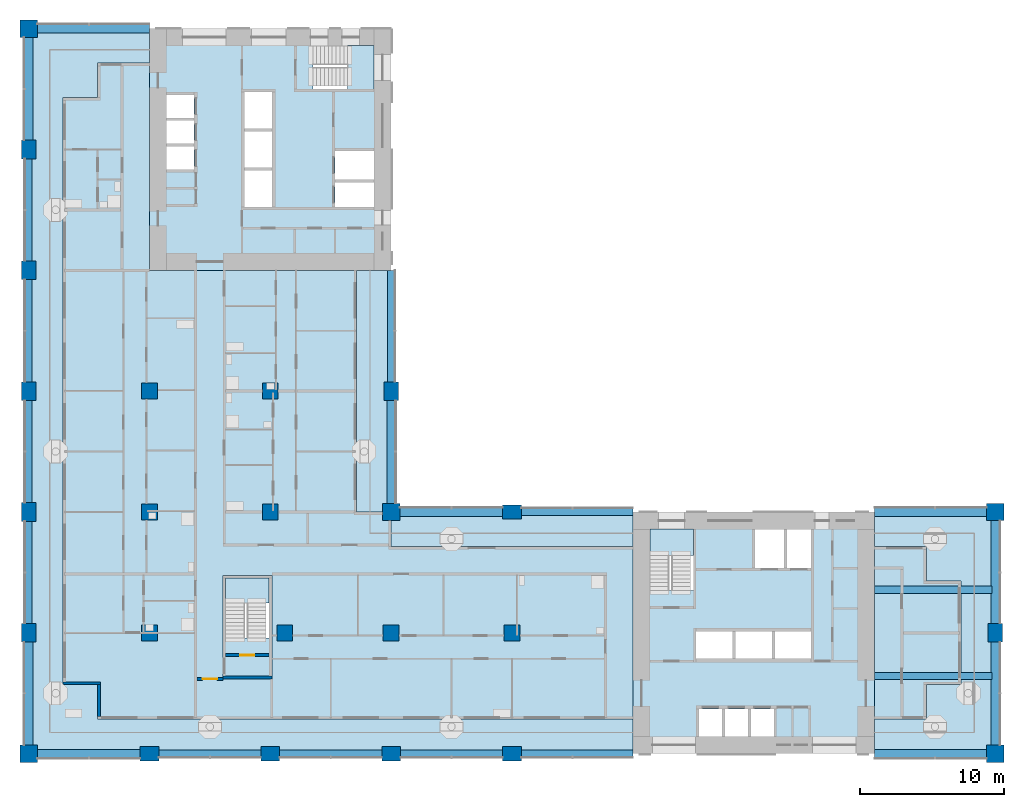
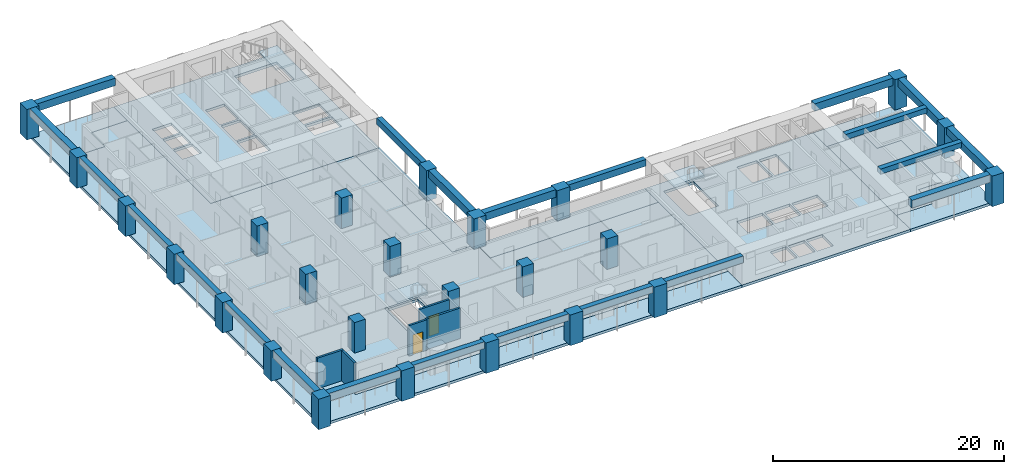
# One storey, part 1 of 18: 25 columns, 22 beams, 12 slabs, 5 walls, 2 doors, 2 openings, 3 elements without a shape of their own.
"""IFC4 building model written with IfcOpenShell, lengths in metres."""

import ifcopenshell
import ifcopenshell.guid

model = None  # the IFC model being written
_history = None  # IfcOwnerHistory: only IFC2X3 demands one
_inside = {}  # id of a spatial element -> (the spatial element, [elements in it])
_under = {}  # id of a project, library or spatial element -> (it, [spatial elements below it])
_declared = {}  # id of a project -> (the project, [libraries it declares])
_typed = {}  # id of a type object -> (the type object, [elements of that type])
_made_of = {}  # id of a material, layer set ... -> (it, [elements and type objects made of it])


def new_model(schema):
    """Start an empty IFC model of exactly this schema.

    Asked for "IFC4X3", IfcOpenShell would pick the latest addendum, in which some entities
    have other attributes; the version numbers below select the first issue.
    IFC2X3 requires an IfcOwnerHistory on every rooted entity: one is made here for all.
    """
    global model, _history
    if schema == "IFC4X3":
        model = ifcopenshell.file(schema_version=(4, 3, 0, 0))
    else:
        model = ifcopenshell.file(schema=schema)
    _inside.clear()
    _under.clear()
    _declared.clear()
    _typed.clear()
    _made_of.clear()
    _history = None
    if model.schema == "IFC2X3":
        org = make("IfcOrganization", Name="unknown")
        user = make(
            "IfcPersonAndOrganization",
            ThePerson=make("IfcPerson", FamilyName="unknown"),
            TheOrganization=org,
        )
        app = make(
            "IfcApplication",
            ApplicationDeveloper=org,
            Version="unknown",
            ApplicationFullName="unknown",
            ApplicationIdentifier="unknown",
        )
        _history = make(
            "IfcOwnerHistory",
            OwningUser=user,
            OwningApplication=app,
            ChangeAction="ADDED",
            CreationDate=0,
        )
    return model


def make(cls, **values):
    """One entity of the class cls with the attributes given. An attribute that is None is left unset."""
    return model.create_entity(
        cls, **{name: value for name, value in values.items() if value is not None}
    )


def rooted(cls, **values):
    """An entity with a GlobalId (a new one), such as an element, a storey or a relation."""
    return make(cls, GlobalId=ifcopenshell.guid.new(), OwnerHistory=_history, **values)


def si_unit(unit_type, name, prefix=None):
    """IfcSIUnit, for example si_unit("LENGTHUNIT", "METRE", prefix="MILLI")."""
    return make("IfcSIUnit", UnitType=unit_type, Prefix=prefix, Name=name)


def assignment(units):
    """IfcUnitAssignment: the units of a project."""
    return None if units is None else make("IfcUnitAssignment", Units=units)


def point(xyz):
    """IfcCartesianPoint."""
    return None if xyz is None else make("IfcCartesianPoint", Coordinates=xyz)


def direction(xyz):
    """IfcDirection."""
    return None if xyz is None else make("IfcDirection", DirectionRatios=xyz)


def frame(location, z_axis=None, x_axis=None):
    """IfcAxis2Placement3D, a coordinate frame: its origin and axes. An axis left out is left unset."""
    return make(
        "IfcAxis2Placement3D",
        Location=point(location),
        Axis=direction(z_axis),
        RefDirection=direction(x_axis),
    )


def frame_2d(location, x_axis=None):
    """IfcAxis2Placement2D, a coordinate frame in the plane: its origin and x axis."""
    return make(
        "IfcAxis2Placement2D", Location=point(location), RefDirection=direction(x_axis)
    )


def origin():
    """The frame at (0, 0, 0) with its axes left unset."""
    return frame((0.0, 0.0, 0.0))


def origin_2d():
    """The frame at (0, 0) in the plane with its x axis left unset."""
    return frame_2d((0.0, 0.0))


def place(relative_to, where):
    """IfcLocalPlacement: puts the frame where relative to a parent placement (None: the world)."""
    return make(
        "IfcLocalPlacement", PlacementRelTo=relative_to, RelativePlacement=where
    )


def context(
    kind, dimensions, precision=None, world=None, true_north=None, identifier=None
):
    """IfcGeometricRepresentationContext, for example the 3D "Model" context."""
    return make(
        "IfcGeometricRepresentationContext",
        ContextIdentifier=identifier,
        ContextType=kind,
        CoordinateSpaceDimension=dimensions,
        Precision=precision,
        WorldCoordinateSystem=world,
        TrueNorth=true_north,
    )


def subcontext(parent, identifier, kind, view, scale=None):
    """IfcGeometricRepresentationSubContext, for example "Body" below "Model"."""
    return make(
        "IfcGeometricRepresentationSubContext",
        ContextIdentifier=identifier,
        ContextType=kind,
        ParentContext=parent,
        TargetScale=scale,
        TargetView=view,
    )


def project(units=None, contexts=None):
    """IfcProject with its units and contexts."""
    return rooted(
        "IfcProject",
        Name="project",
        RepresentationContexts=contexts,
        UnitsInContext=assignment(units),
    )


def spatial(cls, under=None, at=None, **own):
    """A site, building, storey or space (cls), placed at a placement, below another one or the project."""
    s = rooted(cls, ObjectPlacement=at, **own)
    if under is not None:
        _under.setdefault(under.id(), (under, []))[1].append(s)
    return s


def polyline(points):
    """IfcPolyline through the points."""
    return make("IfcPolyline", Points=[point(p) for p in points])


def profile(cls, at=None, kind="AREA", **sizes):
    """A parametric profile (cls). Its sizes go by their IFC names, for example OverallWidth=200.0."""
    return make(cls, ProfileType=kind, Position=at, **sizes)


def rectangle(**sizes):
    """IfcRectangleProfileDef."""
    return profile("IfcRectangleProfileDef", **sizes)


def outline(outer, holes=None, kind="AREA"):
    """IfcArbitraryClosedProfileDef: a profile drawn as a closed curve; with holes, ...WithVoids."""
    if holes is None:
        return make("IfcArbitraryClosedProfileDef", ProfileType=kind, OuterCurve=outer)
    return make(
        "IfcArbitraryProfileDefWithVoids",
        ProfileType=kind,
        OuterCurve=outer,
        InnerCurves=holes,
    )


def extrude(swept, where, along, depth):
    """IfcExtrudedAreaSolid: the profile swept, set in the frame where, extruded along a direction by depth."""
    return make(
        "IfcExtrudedAreaSolid",
        SweptArea=swept,
        Position=where,
        ExtrudedDirection=direction(along),
        Depth=depth,
    )


def shape(context_of_items, identifier, shape_type, items):
    """IfcShapeRepresentation: the items that make up one representation, for example the "Body"."""
    return make(
        "IfcShapeRepresentation",
        ContextOfItems=context_of_items,
        RepresentationIdentifier=identifier,
        RepresentationType=shape_type,
        Items=items,
    )


def material(Name=None, Category=None):
    """IfcMaterial."""
    return make("IfcMaterial", Name=Name, Category=Category)


def layer(
    of_material, thickness, ventilated=None, Name=None, Category=None, Priority=None
):
    """IfcMaterialLayer: one layer of a wall or slab, of a material (None: an air gap)."""
    return make(
        "IfcMaterialLayer",
        Material=of_material,
        LayerThickness=thickness,
        IsVentilated=ventilated,
        Name=Name,
        Category=Category,
        Priority=Priority,
    )


def layer_set(layers, Name=None):
    """IfcMaterialLayerSet."""
    return make("IfcMaterialLayerSet", MaterialLayers=layers, LayerSetName=Name)


def material_profile(
    of_material, cross_section, Name=None, Category=None, Priority=None
):
    """IfcMaterialProfile: a cross section and its material."""
    return make(
        "IfcMaterialProfile",
        Name=Name,
        Material=of_material,
        Profile=cross_section,
        Priority=Priority,
        Category=Category,
    )


def profile_set(profiles, Name=None, composite=None):
    """IfcMaterialProfileSet."""
    return make(
        "IfcMaterialProfileSet",
        Name=Name,
        MaterialProfiles=profiles,
        CompositeProfile=composite,
    )


def made_of(thing, what):
    """Note that an element or type object is made of a material, layer set ...; save() writes the relation."""
    if what is not None:
        _made_of.setdefault(what.id(), (what, []))[1].append(thing)
    return thing


def type_object(cls, material=None, **own):
    """A type object (cls), such as IfcWallType, which elements share."""
    return made_of(rooted(cls, **own), material)


def element(
    cls,
    number,
    at=None,
    inside=None,
    cuts=None,
    type_object=None,
    material=None,
    context=None,
    identifier="Body",
    shape_type=None,
    held_by="IfcProductDefinitionShape",
    body=None,
    shapes=None,
    **own,
):
    """One element of the class cls, such as IfcWall. Its Tag is "e" and its number.

    at: its placement. inside: the storey or other place that contains it. cuts: it is an
    opening in that element (IfcRelVoidsElement). A single representation is given by context,
    identifier, shape_type and body (its items); several are given by shapes. held_by: the class
    of the entity that holds the representations. save() writes the other relations.
    """
    e = rooted(cls, Tag="e%d" % number, ObjectPlacement=at, **own)
    if body is not None:
        shapes = [shape(context, identifier, shape_type, body)]
    if shapes is not None:
        e.Representation = make(held_by, Representations=shapes)
    if inside is not None:
        _inside.setdefault(inside.id(), (inside, []))[1].append(e)
    if cuts is not None:
        rooted(
            "IfcRelVoidsElement", RelatingBuildingElement=cuts, RelatedOpeningElement=e
        )
    if type_object is not None:
        _typed.setdefault(type_object.id(), (type_object, []))[1].append(e)
    return made_of(e, material)


def fill(opening, filler):
    """IfcRelFillsElement: the door or window that sits in an opening."""
    return rooted(
        "IfcRelFillsElement",
        RelatingOpeningElement=opening,
        RelatedBuildingElement=filler,
    )


def aggregate(whole, parts):
    """IfcRelAggregates: a whole, such as a stair, and the parts it consists of."""
    return rooted("IfcRelAggregates", RelatingObject=whole, RelatedObjects=parts)


def save(model, path):
    """Write the relations noted so far, then the file.

    IfcRelAggregates (storeys below a building ...), IfcRelContainedInSpatialStructure (elements
    in a storey), IfcRelDefinesByType, IfcRelAssociatesMaterial and IfcRelDeclares: one each for
    every whole, place, type object, material and project.
    """
    for whole, parts in _under.values():
        aggregate(whole, parts)
    for where, things in _inside.values():
        rooted(
            "IfcRelContainedInSpatialStructure",
            RelatedElements=things,
            RelatingStructure=where,
        )
    for kind, things in _typed.values():
        rooted("IfcRelDefinesByType", RelatedObjects=things, RelatingType=kind)
    for what, things in _made_of.values():
        rooted("IfcRelAssociatesMaterial", RelatedObjects=things, RelatingMaterial=what)
    for by, libraries in _declared.values():
        rooted("IfcRelDeclares", RelatingContext=by, RelatedDefinitions=libraries)
    model.write(path)


model = new_model("IFC4")

# Units and contexts
model_context = context("Model", 3, precision=1e-05, world=origin(), true_north=direction((0.0, 1.0)))
body_context = subcontext(model_context, "Body", "Model", "MODEL_VIEW")
ifc_project = project(units=[si_unit("LENGTHUNIT", "METRE"), si_unit("AREAUNIT", "SQUARE_METRE"), si_unit("VOLUMEUNIT", "CUBIC_METRE"), si_unit("PLANEANGLEUNIT", "RADIAN"), si_unit("MASSUNIT", "GRAM", prefix="KILO")], contexts=[model_context])

# Site, building, storey
site_placement = place(None, origin())
site = spatial("IfcSite", under=ifc_project, at=site_placement, CompositionType="ELEMENT")
building_placement = place(site_placement, origin())
building = spatial("IfcBuilding", under=site, at=building_placement, Name="Vermilion Gate Residences", CompositionType="ELEMENT")
storey_placement = place(building_placement, frame((0.0, 0.0, 81.199951171875)))
storey = spatial("IfcBuildingStorey", under=building, at=storey_placement, Name="L19", CompositionType="ELEMENT", Elevation=81.199951171875)

# Columns
ifc_material_1 = material(Name="Concrete C70", Category="concrete")
ifc_material_profile_1 = material_profile(ifc_material_1, rectangle(XDim=1.10009765625, YDim=1.10009765625, at=origin_2d()), Name="RC-1100x1100")
ifc_profile_set_1 = profile_set([ifc_material_profile_1], Name="Concrete C70")
column_type_1 = type_object("IfcColumnType", Name="RC COLUMN 1100 X 1100 C70", PredefinedType="COLUMN", material=ifc_profile_set_1)
for number, where, z_axis, x_axis, name in (
    (1, (8.39990234375, 16.800048828125, 0.0), (0.0, 0.0, 1.0), (1.0, 0.0, 0.0), "Column 2-C L19"),
    (2, (8.39990234375, 25.199951171875, 0.0), (0.0, 0.0, 1.0), (1.0, 0.0, 0.0), "Column 2-D L19"),
    (3, (8.39990234375, 33.60009765625, 0.0), (0.0, 0.0, 1.0), (1.0, 0.0, 0.0), "Column 2-E L19"),
    (4, (17.800048828125, 16.800048828125, 0.0), (0.0, 0.0, 1.0), (1.0, 0.0, 0.0), "Column 3-C L19"),
    (5, (16.800048828125, 25.199951171875, 0.0), (0.0, 0.0, 1.0), (1.0, 0.0, 0.0), "Column 3-D L19"),
    (6, (16.800048828125, 33.60009765625, 0.0), (0.0, 0.0, 1.0), (1.0, 0.0, 0.0), "Column 3-E L19"),
    (7, (25.199951171875, 16.800048828125, 0.0), (0.0, 0.0, 1.0), (1.0, 0.0, 0.0), "Column 4-C L19"),
    (8, (33.60009765625, 16.800048828125, 0.0), (0.0, 0.0, 1.0), (1.0, 0.0, 0.0), "Column 5-C L19"),
):
    element("IfcColumn", number, at=place(storey_placement, frame(where, z_axis=z_axis, x_axis=x_axis)), inside=storey, type_object=column_type_1, Name=name, PredefinedType="COLUMN", context=body_context, shape_type="SweptSolid", body=[
        extrude(rectangle(XDim=1.10009765625, YDim=1.10009765625, at=origin_2d()), origin(), (0.0, 0.0, 1.0), 3.219970703125),
    ])
ifc_material_2 = material(Name="Concrete C70", Category="concrete")
ifc_material_profile_2 = material_profile(ifc_material_2, rectangle(XDim=1.199951171875, YDim=1.199951171875, at=origin_2d()), Name="RC-1200x1200")
ifc_profile_set_2 = profile_set([ifc_material_profile_2], Name="Concrete C70")
column_type_2 = type_object("IfcColumnType", Name="RC COLUMN 1200 X 1200 C70", PredefinedType="COLUMN", material=ifc_profile_set_2)
for number, where, z_axis, x_axis, name in (
    (9, (0.0, 8.39990234375, 0.0), (0.0, 0.0, 1.0), (1.0, 0.0, 0.0), "Column 1-B L19"),
    (10, (0.0, 58.800048828125, 0.0), (0.0, 0.0, 1.0), (1.0, 0.0, 0.0), "Column 1-H L19"),
    (11, (25.199951171875, 25.199951171875, 0.0), (0.0, 0.0, 1.0), (1.0, 0.0, 0.0), "Column 4-D L19"),
    (12, (67.199951171875, 8.39990234375, 0.0), (0.0, 0.0, 1.0), (1.0, 0.0, 0.0), "Column 9-B L19"),
    (13, (67.199951171875, 25.199951171875, 0.0), (0.0, 0.0, 1.0), (1.0, 0.0, 0.0), "Column 9-D L19"),
):
    element("IfcColumn", number, at=place(storey_placement, frame(where, z_axis=z_axis, x_axis=x_axis)), inside=storey, type_object=column_type_2, Name=name, PredefinedType="COLUMN", context=body_context, shape_type="SweptSolid", body=[
        extrude(rectangle(XDim=1.199951171875, YDim=1.199951171875, at=origin_2d()), origin(), (0.0, 0.0, 1.0), 3.219970703125),
    ])
ifc_material_3 = material(Name="Concrete C70", Category="concrete")
ifc_material_profile_3 = material_profile(ifc_material_3, rectangle(XDim=1.300048828125, YDim=1.0, at=origin_2d()), Name="RC-1300x1000")
ifc_profile_set_3 = profile_set([ifc_material_profile_3], Name="Concrete C70")
column_type_3 = type_object("IfcColumnType", Name="RC COLUMN 1300 X 1000 C70", PredefinedType="COLUMN", material=ifc_profile_set_3)
for number, where, z_axis, x_axis, name in (
    (14, (0.0, 16.800048828125, 0.0), (0.0, 0.0, 1.0), (0.0, 1.0, 0.0), "Column 1-C L19"),
    (15, (0.0, 25.199951171875, 0.0), (0.0, 0.0, 1.0), (0.0, 1.0, 0.0), "Column 1-D L19"),
    (16, (0.0, 33.60009765625, 0.0), (0.0, 0.0, 1.0), (0.0, 1.0, 0.0), "Column 1-E L19"),
    (17, (0.0, 42.0, 0.0), (0.0, 0.0, 1.0), (0.0, 1.0, 0.0), "Column 1-F L19"),
    (18, (0.0, 50.39990234375, 0.0), (0.0, 0.0, 1.0), (0.0, 1.0, 0.0), "Column 1-G L19"),
    (19, (8.39990234375, 8.39990234375, 0.0), (0.0, 0.0, 1.0), (1.0, 0.0, 0.0), "Column 2-B L19"),
    (20, (16.800048828125, 8.39990234375, 0.0), (0.0, 0.0, 1.0), (1.0, 0.0, 0.0), "Column 3-B L19"),
    (21, (25.199951171875, 8.39990234375, 0.0), (0.0, 0.0, 1.0), (1.0, 0.0, 0.0), "Column 4-B L19"),
    (22, (25.199951171875, 33.60009765625, 0.0), (0.0, 0.0, 1.0), (0.0, 1.0, 0.0), "Column 4-E L19"),
    (23, (33.60009765625, 8.39990234375, 0.0), (0.0, 0.0, 1.0), (1.0, 0.0, 0.0), "Column 5-B L19"),
    (24, (33.60009765625, 25.199951171875, 0.0), (0.0, 0.0, 1.0), (1.0, 0.0, 0.0), "Column 5-D L19"),
    (25, (67.199951171875, 16.800048828125, 0.0), (0.0, 0.0, 1.0), (0.0, 1.0, 0.0), "Column 9-C L19"),
):
    element("IfcColumn", number, at=place(storey_placement, frame(where, z_axis=z_axis, x_axis=x_axis)), inside=storey, type_object=column_type_3, Name=name, PredefinedType="COLUMN", context=body_context, shape_type="SweptSolid", body=[
        extrude(rectangle(XDim=1.300048828125, YDim=1.0, at=origin_2d()), origin(), (0.0, 0.0, 1.0), 3.219970703125),
    ])

# Beams
ifc_material_4 = material(Name="Concrete C60 red-oxide pigmented", Category="concrete")
ifc_material_profile_4 = material_profile(ifc_material_4, rectangle(XDim=0.60009765625, YDim=0.800048828125, at=origin_2d()), Name="RC-600x800")
ifc_profile_set_4 = profile_set([ifc_material_profile_4], Name="Concrete C60 red-oxide pigmented")
beam_type_1 = type_object("IfcBeamType", Name="RC CORNER EDGE BEAM 600 X 800 C60", PredefinedType="BEAM", material=ifc_profile_set_4)
for number, where, z_axis, x_axis, name in (
    (26, (0.60009765625, 8.39990234375, 2.820068359375), (1.0, 0.0, 0.0), (0.0, 1.0, 0.0), "Corner edge beam L19 1"),
    (27, (0.0, 9.0, 2.820068359375), (0.0, 1.0, 0.0), (-1.0, 0.0, 0.0), "Corner edge beam L19 2"),
):
    element("IfcBeam", number, at=place(storey_placement, frame(where, z_axis=z_axis, x_axis=x_axis)), inside=storey, type_object=beam_type_1, Name=name, PredefinedType="BEAM", context=body_context, shape_type="SweptSolid", body=[
        extrude(rectangle(XDim=0.60009765625, YDim=0.800048828125, at=origin_2d()), origin(), (0.0, 0.0, 1.0), 7.14990234375),
    ])
beam_1_placement = place(storey_placement, frame((0.60009765625, 58.800048828125, 2.820068359375), z_axis=(1.0, 0.0, 0.0), x_axis=(0.0, 1.0, 0.0)))
element("IfcBeam", 28, at=beam_1_placement, inside=storey, type_object=beam_type_1, Name="Corner edge beam L19 7", PredefinedType="BEAM", context=body_context, shape_type="SweptSolid", body=[
    extrude(rectangle(XDim=0.60009765625, YDim=0.800048828125, at=origin_2d()), origin(), (0.0, 0.0, 1.0), 7.7998046875),
])
for number, where, z_axis, x_axis, name in (
    (29, (0.0, 51.050048828125, 2.820068359375), (0.0, 1.0, 0.0), (-1.0, 0.0, 0.0), "Corner edge beam L19 8"),
    (30, (25.199951171875, 25.800048828125, 2.820068359375), (0.0, 1.0, 0.0), (-1.0, 0.0, 0.0), "Corner edge beam L19 11"),
    (31, (25.800048828125, 25.199951171875, 2.820068359375), (1.0, 0.0, 0.0), (0.0, 1.0, 0.0), "Corner edge beam L19 14"),
):
    element("IfcBeam", number, at=place(storey_placement, frame(where, z_axis=z_axis, x_axis=x_axis)), inside=storey, type_object=beam_type_1, Name=name, PredefinedType="BEAM", context=body_context, shape_type="SweptSolid", body=[
        extrude(rectangle(XDim=0.60009765625, YDim=0.800048828125, at=origin_2d()), origin(), (0.0, 0.0, 1.0), 7.14990234375),
    ])
beam_2_placement = place(storey_placement, frame((58.800048828125, 8.39990234375, 2.820068359375), z_axis=(1.0, 0.0, 0.0), x_axis=(0.0, 1.0, 0.0)))
element("IfcBeam", 32, at=beam_2_placement, inside=storey, type_object=beam_type_1, Name="Corner edge beam L19 17", PredefinedType="BEAM", context=body_context, shape_type="SweptSolid", body=[
    extrude(rectangle(XDim=0.60009765625, YDim=0.800048828125, at=origin_2d()), origin(), (0.0, 0.0, 1.0), 7.800048828125),
])
beam_3_placement = place(storey_placement, frame((67.199951171875, 9.0, 2.820068359375), z_axis=(0.0, 1.0, 0.0), x_axis=(-1.0, 0.0, 0.0)))
element("IfcBeam", 33, at=beam_3_placement, inside=storey, type_object=beam_type_1, Name="Corner edge beam L19 18", PredefinedType="BEAM", context=body_context, shape_type="SweptSolid", body=[
    extrude(rectangle(XDim=0.60009765625, YDim=0.800048828125, at=origin_2d()), origin(), (0.0, 0.0, 1.0), 7.14990234375),
])
beam_4_placement = place(storey_placement, frame((67.199951171875, 17.449951171875, 2.820068359375), z_axis=(0.0, 1.0, 0.0), x_axis=(-1.0, 0.0, 0.0)))
element("IfcBeam", 34, at=beam_4_placement, inside=storey, type_object=beam_type_1, Name="Corner edge beam L19 19", PredefinedType="BEAM", context=body_context, shape_type="SweptSolid", body=[
    extrude(rectangle(XDim=0.60009765625, YDim=0.800048828125, at=origin_2d()), origin(), (0.0, 0.0, 1.0), 7.150146484375),
])
beam_5_placement = place(storey_placement, frame((58.800048828125, 25.199951171875, 2.820068359375), z_axis=(1.0, 0.0, 0.0), x_axis=(0.0, 1.0, 0.0)))
element("IfcBeam", 35, at=beam_5_placement, inside=storey, type_object=beam_type_1, Name="Corner edge beam L19 20", PredefinedType="BEAM", context=body_context, shape_type="SweptSolid", body=[
    extrude(rectangle(XDim=0.60009765625, YDim=0.800048828125, at=origin_2d()), origin(), (0.0, 0.0, 1.0), 7.800048828125),
])
ifc_material_5 = material(Name="Concrete C60 red-oxide pigmented", Category="concrete")
ifc_material_profile_5 = material_profile(ifc_material_5, rectangle(XDim=0.5, YDim=0.699951171875, at=origin_2d()), Name="RC-500x700")
ifc_profile_set_5 = profile_set([ifc_material_profile_5], Name="Concrete C60 red-oxide pigmented")
beam_type_2 = type_object("IfcBeamType", Name="RC EDGE BEAM 500 X 700 C60", PredefinedType="BEAM", material=ifc_profile_set_5)
beam_6_placement = place(storey_placement, frame((0.0, 17.449951171875, 2.8701171875), z_axis=(0.0, 1.0, 0.0), x_axis=(-1.0, 0.0, 0.0)))
element("IfcBeam", 36, at=beam_6_placement, inside=storey, type_object=beam_type_2, Name="Edge beam L19 3", PredefinedType="BEAM", context=body_context, shape_type="SweptSolid", body=[
    extrude(rectangle(XDim=0.5, YDim=0.699951171875, at=origin_2d()), origin(), (0.0, 0.0, 1.0), 7.10009765625),
])
beam_7_placement = place(storey_placement, frame((0.0, 25.85009765625, 2.8701171875), z_axis=(0.0, 1.0, 0.0), x_axis=(-1.0, 0.0, 0.0)))
element("IfcBeam", 37, at=beam_7_placement, inside=storey, type_object=beam_type_2, Name="Edge beam L19 4", PredefinedType="BEAM", context=body_context, shape_type="SweptSolid", body=[
    extrude(rectangle(XDim=0.5, YDim=0.699951171875, at=origin_2d()), origin(), (0.0, 0.0, 1.0), 7.099853515625),
])
for number, where, z_axis, x_axis, name in (
    (38, (0.0, 34.25, 2.8701171875), (0.0, 1.0, 0.0), (-1.0, 0.0, 0.0), "Edge beam L19 5"),
    (39, (0.0, 42.64990234375, 2.8701171875), (0.0, 1.0, 0.0), (-1.0, 0.0, 0.0), "Edge beam L19 6"),
):
    element("IfcBeam", number, at=place(storey_placement, frame(where, z_axis=z_axis, x_axis=x_axis)), inside=storey, type_object=beam_type_2, Name=name, PredefinedType="BEAM", context=body_context, shape_type="SweptSolid", body=[
        extrude(rectangle(XDim=0.5, YDim=0.699951171875, at=origin_2d()), origin(), (0.0, 0.0, 1.0), 7.10009765625),
    ])
beam_8_placement = place(storey_placement, frame((9.050048828125, 8.39990234375, 2.8701171875), z_axis=(1.0, 0.0, 0.0), x_axis=(0.0, 1.0, 0.0)))
element("IfcBeam", 40, at=beam_8_placement, inside=storey, type_object=beam_type_2, Name="Edge beam L19 9", PredefinedType="BEAM", context=body_context, shape_type="SweptSolid", body=[
    extrude(rectangle(XDim=0.5, YDim=0.699951171875, at=origin_2d()), origin(), (0.0, 0.0, 1.0), 7.099853515625),
])
beam_9_placement = place(storey_placement, frame((17.449951171875, 8.39990234375, 2.8701171875), z_axis=(1.0, 0.0, 0.0), x_axis=(0.0, 1.0, 0.0)))
element("IfcBeam", 41, at=beam_9_placement, inside=storey, type_object=beam_type_2, Name="Edge beam L19 10", PredefinedType="BEAM", context=body_context, shape_type="SweptSolid", body=[
    extrude(rectangle(XDim=0.5, YDim=0.699951171875, at=origin_2d()), origin(), (0.0, 0.0, 1.0), 7.10009765625),
])
beam_10_placement = place(storey_placement, frame((25.199951171875, 34.25, 2.8701171875), z_axis=(0.0, 1.0, 0.0), x_axis=(-1.0, 0.0, 0.0)))
element("IfcBeam", 42, at=beam_10_placement, inside=storey, type_object=beam_type_2, Name="Edge beam L19 12", PredefinedType="BEAM", context=body_context, shape_type="SweptSolid", body=[
    extrude(rectangle(XDim=0.5, YDim=0.699951171875, at=origin_2d()), origin(), (0.0, 0.0, 1.0), 7.75),
])
beam_11_placement = place(storey_placement, frame((25.85009765625, 8.39990234375, 2.8701171875), z_axis=(1.0, 0.0, 0.0), x_axis=(0.0, 1.0, 0.0)))
element("IfcBeam", 43, at=beam_11_placement, inside=storey, type_object=beam_type_2, Name="Edge beam L19 13", PredefinedType="BEAM", context=body_context, shape_type="SweptSolid", body=[
    extrude(rectangle(XDim=0.5, YDim=0.699951171875, at=origin_2d()), origin(), (0.0, 0.0, 1.0), 7.099853515625),
])
for number, where, z_axis, x_axis, name in (
    (44, (34.25, 8.39990234375, 2.8701171875), (1.0, 0.0, 0.0), (0.0, 1.0, 0.0), "Edge beam L19 15"),
    (45, (34.25, 25.199951171875, 2.8701171875), (1.0, 0.0, 0.0), (0.0, 1.0, 0.0), "Edge beam L19 16"),
):
    element("IfcBeam", number, at=place(storey_placement, frame(where, z_axis=z_axis, x_axis=x_axis)), inside=storey, type_object=beam_type_2, Name=name, PredefinedType="BEAM", context=body_context, shape_type="SweptSolid", body=[
        extrude(rectangle(XDim=0.5, YDim=0.699951171875, at=origin_2d()), origin(), (0.0, 0.0, 1.0), 7.75),
    ])
ifc_material_6 = material(Name="Concrete C60", Category="concrete")
ifc_material_profile_6 = material_profile(ifc_material_6, rectangle(XDim=0.5, YDim=0.550048828125, at=origin_2d()), Name="RC-500x550")
ifc_profile_set_6 = profile_set([ifc_material_profile_6], Name="Concrete C60")
beam_type_3 = type_object("IfcBeamType", Name="RC WING BEAM 500 X 550 C60", PredefinedType="BEAM", material=ifc_profile_set_6)
for number, where, z_axis, x_axis, name in (
    (46, (58.800048828125, 13.800048828125, 2.945068359375), (1.0, 0.0, 0.0), (0.0, 1.0, 0.0), "Wing-end beam L19 1"),
    (47, (58.800048828125, 19.800048828125, 2.945068359375), (1.0, 0.0, 0.0), (0.0, 1.0, 0.0), "Wing-end beam L19 2"),
):
    element("IfcBeam", number, at=place(storey_placement, frame(where, z_axis=z_axis, x_axis=x_axis)), inside=storey, type_object=beam_type_3, Name=name, PredefinedType="BEAM", context=body_context, shape_type="SweptSolid", body=[
        extrude(rectangle(XDim=0.5, YDim=0.550048828125, at=origin_2d()), origin(), (0.0, 0.0, 1.0), 8.14990234375),
    ])

# Slabs
ifc_material_7 = material(Name="Concrete C50", Category="concrete")
ifc_layer_1 = layer(ifc_material_7, 0.280029296875)
ifc_layer_set_1 = layer_set([ifc_layer_1], Name="RC CORE FLOOR SLAB 280 C50")
slab_type_1 = type_object("IfcSlabType", Name="RC CORE FLOOR SLAB 280 C50", PredefinedType="FLOOR", material=ifc_layer_set_1)
slab_1_placement = place(storey_placement, frame((0.0, 0.0, -0.280029296875)))
element("IfcSlab", 48, at=slab_1_placement, inside=storey, type_object=slab_type_1, Name="Core floor slab A19", PredefinedType="FLOOR", context=body_context, shape_type="SweptSolid", body=[
    extrude(outline(polyline([(42.0, 8.39990234375), (58.800048828125, 8.39990234375), (58.800048828125, 25.199951171875), (42.0, 25.199951171875), (42.0, 8.39990234375)]), holes=[polyline([(46.60009765625, 11.5), (48.199951171875, 11.5), (48.199951171875, 9.60009765625), (46.60009765625, 9.60009765625), (46.60009765625, 11.5)]), polyline([(48.39990234375, 11.5), (50.0, 11.5), (50.0, 9.60009765625), (48.39990234375, 9.60009765625), (48.39990234375, 11.5)]), polyline([(50.199951171875, 11.5), (51.800048828125, 11.5), (51.800048828125, 9.60009765625), (50.199951171875, 9.60009765625), (50.199951171875, 11.5)]), polyline([(46.39990234375, 16.89990234375), (48.933349609375, 16.89990234375), (48.933349609375, 15.0), (46.39990234375, 15.0), (46.39990234375, 16.89990234375)]), polyline([(49.13330078125, 16.89990234375), (51.666748046875, 16.89990234375), (51.666748046875, 15.0), (49.13330078125, 15.0), (49.13330078125, 16.89990234375)]), polyline([(51.86669921875, 16.89990234375), (54.39990234375, 16.89990234375), (54.39990234375, 15.0), (51.86669921875, 15.0), (51.86669921875, 16.89990234375)]), polyline([(43.199951171875, 24.0), (46.199951171875, 24.0), (46.199951171875, 19.75), (43.199951171875, 19.75), (43.199951171875, 24.0)]), polyline([(52.5, 24.0), (52.5, 21.300048828125), (50.5, 21.300048828125), (50.5, 24.0), (52.5, 24.0)]), polyline([(54.39990234375, 24.0), (54.39990234375, 21.300048828125), (52.699951171875, 21.300048828125), (52.699951171875, 24.0), (54.39990234375, 24.0)])]), origin(), (0.0, 0.0, 1.0), 0.280029296875),
])
slab_2_placement = place(storey_placement, frame((0.0, 0.0, -0.280029296875)))
element("IfcSlab", 49, at=slab_2_placement, inside=storey, type_object=slab_type_1, Name="Core floor slab B19", PredefinedType="FLOOR", context=body_context, shape_type="SweptSolid", body=[
    extrude(outline(polyline([(8.39990234375, 42.0), (25.199951171875, 42.0), (25.199951171875, 58.800048828125), (8.39990234375, 58.800048828125), (8.39990234375, 42.0)]), holes=[polyline([(21.300048828125, 48.10009765625), (24.0, 48.10009765625), (24.0, 46.39990234375), (21.300048828125, 46.39990234375), (21.300048828125, 48.10009765625)]), polyline([(15.0, 48.933349609375), (16.89990234375, 48.933349609375), (16.89990234375, 46.39990234375), (15.0, 46.39990234375), (15.0, 48.933349609375)]), polyline([(21.300048828125, 50.300048828125), (24.0, 50.300048828125), (24.0, 48.300048828125), (21.300048828125, 48.300048828125), (21.300048828125, 50.300048828125)]), polyline([(9.60009765625, 50.60009765625), (11.5, 50.60009765625), (11.5, 49.0), (9.60009765625, 49.0), (9.60009765625, 50.60009765625)]), polyline([(15.0, 51.666748046875), (16.89990234375, 51.666748046875), (16.89990234375, 49.13330078125), (15.0, 49.13330078125), (15.0, 51.666748046875)]), polyline([(9.60009765625, 52.39990234375), (11.5, 52.39990234375), (11.5, 50.800048828125), (9.60009765625, 50.800048828125), (9.60009765625, 52.39990234375)]), polyline([(15.0, 54.39990234375), (16.89990234375, 54.39990234375), (16.89990234375, 51.86669921875), (15.0, 51.86669921875), (15.0, 54.39990234375)]), polyline([(11.5, 54.199951171875), (11.5, 52.60009765625), (9.60009765625, 52.60009765625), (9.60009765625, 54.199951171875), (11.5, 54.199951171875)]), polyline([(24.0, 57.60009765625), (24.0, 54.60009765625), (19.75, 54.60009765625), (19.75, 57.60009765625), (24.0, 57.60009765625)])]), origin(), (0.0, 0.0, 1.0), 0.280029296875),
])
slab_3_placement = place(storey_placement, frame((0.0, 0.0, -0.280029296875)))
element("IfcSlab", 50, at=slab_3_placement, inside=storey, type_object=slab_type_1, Name="Apex stair floor slab 19", PredefinedType="FLOOR", context=body_context, shape_type="SweptSolid", body=[
    extrude(outline(polyline([(13.5, 13.60009765625), (16.89990234375, 13.60009765625), (16.89990234375, 20.800048828125), (13.5, 20.800048828125), (13.5, 13.60009765625)]), holes=[polyline([(16.699951171875, 20.60009765625), (16.699951171875, 16.449951171875), (13.699951171875, 16.449951171875), (13.699951171875, 20.60009765625), (16.699951171875, 20.60009765625)])]), origin(), (0.0, 0.0, 1.0), 0.280029296875),
])
ifc_material_8 = material(Name="Concrete C50", Category="concrete")
ifc_layer_2 = layer(ifc_material_8, 0.280029296875)
ifc_layer_set_2 = layer_set([ifc_layer_2], Name="RC FLAT PLATE 280 C50")
slab_type_2 = type_object("IfcSlabType", Name="RC FLAT PLATE 280 C50", PredefinedType="FLOOR", material=ifc_layer_set_2)
slab_4_placement = place(storey_placement, frame((0.0, 0.0, -0.280029296875)))
element("IfcSlab", 51, at=slab_4_placement, inside=storey, type_object=slab_type_2, Name="Floor slab L19", PredefinedType="FLOOR", context=body_context, shape_type="SweptSolid", body=[
    extrude(outline(polyline([(22.800048828125, 25.199951171875), (22.800048828125, 42.0), (8.39990234375, 42.0), (8.39990234375, 56.39990234375), (4.800048828125, 56.39990234375), (4.800048828125, 54.0), (2.39990234375, 54.0), (2.39990234375, 13.199951171875), (4.800048828125, 13.199951171875), (4.800048828125, 10.800048828125), (42.0, 10.800048828125), (42.0, 22.800048828125), (25.199951171875, 22.800048828125), (25.199951171875, 25.199951171875), (22.800048828125, 25.199951171875)]), holes=[polyline([(13.5, 13.60009765625), (13.5, 20.800048828125), (16.89990234375, 20.800048828125), (16.89990234375, 13.60009765625), (13.5, 13.60009765625)])]), origin(), (0.0, 0.0, 1.0), 0.280029296875),
])
slab_5_placement = place(storey_placement, frame((0.0, 0.0, -0.280029296875)))
element("IfcSlab", 52, at=slab_5_placement, inside=storey, type_object=slab_type_2, Name="Floor slab L19", PredefinedType="FLOOR", context=body_context, shape_type="SweptSolid", body=[
    extrude(outline(polyline([(58.800048828125, 22.800048828125), (58.800048828125, 10.800048828125), (62.39990234375, 10.800048828125), (62.39990234375, 13.199951171875), (64.800048828125, 13.199951171875), (64.800048828125, 20.39990234375), (62.39990234375, 20.39990234375), (62.39990234375, 22.800048828125), (58.800048828125, 22.800048828125)])), origin(), (0.0, 0.0, 1.0), 0.280029296875),
])
ifc_material_9 = material(Name="Concrete C50 red-oxide pigmented", Category="concrete")
ifc_layer_3 = layer(ifc_material_9, 0.280029296875)
ifc_layer_set_3 = layer_set([ifc_layer_3], Name="RC LOGGIA SLAB 280 C50")
slab_type_3 = type_object("IfcSlabType", Name="RC LOGGIA SLAB 280 C50", PredefinedType="FLOOR", material=ifc_layer_set_3)
slab_6_placement = place(storey_placement, frame((0.0, 0.0, -0.280029296875)))
element("IfcSlab", 53, at=slab_6_placement, inside=storey, type_object=slab_type_3, Name="Loggia slab L19", PredefinedType="FLOOR", context=body_context, shape_type="SweptSolid", body=[
    extrude(outline(polyline([(0.0, 58.800048828125), (0.0, 8.39990234375), (42.0, 8.39990234375), (42.0, 10.800048828125), (4.800048828125, 10.800048828125), (4.800048828125, 13.199951171875), (2.39990234375, 13.199951171875), (2.39990234375, 54.0), (4.800048828125, 54.0), (4.800048828125, 56.39990234375), (8.39990234375, 56.39990234375), (8.39990234375, 58.800048828125), (0.0, 58.800048828125)])), origin(), (0.0, 0.0, 1.0), 0.280029296875),
])
slab_7_placement = place(storey_placement, frame((0.0, 0.0, -0.280029296875)))
element("IfcSlab", 54, at=slab_7_placement, inside=storey, type_object=slab_type_3, Name="Loggia slab L19", PredefinedType="FLOOR", context=body_context, shape_type="SweptSolid", body=[
    extrude(outline(polyline([(64.800048828125, 20.39990234375), (64.800048828125, 13.199951171875), (62.39990234375, 13.199951171875), (62.39990234375, 10.800048828125), (58.800048828125, 10.800048828125), (58.800048828125, 8.39990234375), (67.199951171875, 8.39990234375), (67.199951171875, 25.199951171875), (58.800048828125, 25.199951171875), (58.800048828125, 22.800048828125), (62.39990234375, 22.800048828125), (62.39990234375, 20.39990234375), (64.800048828125, 20.39990234375)])), origin(), (0.0, 0.0, 1.0), 0.280029296875),
])
slab_8_placement = place(storey_placement, frame((0.0, 0.0, -0.280029296875)))
element("IfcSlab", 55, at=slab_8_placement, inside=storey, type_object=slab_type_3, Name="Loggia slab L19", PredefinedType="FLOOR", context=body_context, shape_type="SweptSolid", body=[
    extrude(outline(polyline([(25.199951171875, 22.800048828125), (42.0, 22.800048828125), (42.0, 25.199951171875), (25.199951171875, 25.199951171875), (25.199951171875, 22.800048828125)])), origin(), (0.0, 0.0, 1.0), 0.280029296875),
])
slab_9_placement = place(storey_placement, frame((0.0, 0.0, -0.280029296875)))
element("IfcSlab", 56, at=slab_9_placement, inside=storey, type_object=slab_type_3, Name="Loggia slab L19", PredefinedType="FLOOR", context=body_context, shape_type="SweptSolid", body=[
    extrude(outline(polyline([(25.199951171875, 25.199951171875), (25.199951171875, 42.0), (22.800048828125, 42.0), (22.800048828125, 25.199951171875), (25.199951171875, 25.199951171875)])), origin(), (0.0, 0.0, 1.0), 0.280029296875),
])

# Stair, slab
ifc_material_10 = material(Name="Concrete C50", Category="concrete")
stair_type = type_object("IfcStairType", Name="SPECIAL ESCAPE STAIR 1300", PredefinedType="HALF_TURN_STAIR", material=ifc_material_10)
stair_1_placement = place(storey_placement, origin())
stair_1 = element("IfcStair", 57, at=stair_1_placement, inside=storey, type_object=stair_type, Name="Special escape stair STA1-19", PredefinedType="HALF_TURN_STAIR")
ifc_material_11 = material(Name="Concrete C50", Category="concrete")
ifc_layer_4 = layer(ifc_material_11, 0.199951171875)
ifc_layer_set_4 = layer_set([ifc_layer_4], Name="STAIR LANDING 200 C50")
slab_type_4 = type_object("IfcSlabType", Name="STAIR LANDING 200 C50", PredefinedType="LANDING", material=ifc_layer_set_4)
slab_10_placement = place(storey_placement, frame((0.0, 0.0, 1.550048828125)))
slab_10 = element("IfcSlab", 58, at=slab_10_placement, type_object=slab_type_4, Name="STA1-19 landing 1", PredefinedType="LANDING", context=body_context, shape_type="SweptSolid", body=[
    extrude(outline(polyline([(46.219970703125, 22.179931640625), (46.219970703125, 24.02001953125), (43.179931640625, 24.02001953125), (43.179931640625, 22.179931640625), (46.219970703125, 22.179931640625)])), origin(), (0.0, 0.0, 1.0), 0.199951171875),
])
aggregate(stair_1, [slab_10])

stair_2_placement = place(storey_placement, origin())
stair_2 = element("IfcStair", 59, at=stair_2_placement, inside=storey, type_object=stair_type, Name="Special escape stair STB1-19", PredefinedType="HALF_TURN_STAIR")
slab_11_placement = place(storey_placement, frame((0.0, 0.0, 1.550048828125)))
slab_11 = element("IfcSlab", 60, at=slab_11_placement, type_object=slab_type_4, Name="STB1-19 landing 1", PredefinedType="LANDING", context=body_context, shape_type="SweptSolid", body=[
    extrude(outline(polyline([(24.02001953125, 54.580078125), (24.02001953125, 57.6201171875), (22.179931640625, 57.6201171875), (22.179931640625, 54.580078125), (24.02001953125, 54.580078125)])), origin(), (0.0, 0.0, 1.0), 0.199951171875),
])
aggregate(stair_2, [slab_11])

stair_3_placement = place(storey_placement, origin())
stair_3 = element("IfcStair", 61, at=stair_3_placement, inside=storey, type_object=stair_type, Name="Special escape stair STC1-19", PredefinedType="HALF_TURN_STAIR")
slab_12_placement = place(storey_placement, frame((0.0, 0.0, 1.550048828125)))
slab_12 = element("IfcSlab", 62, at=slab_12_placement, type_object=slab_type_4, Name="STC1-19 landing 1", PredefinedType="LANDING", context=body_context, shape_type="SweptSolid", body=[
    extrude(outline(polyline([(16.719970703125, 18.8798828125), (16.719970703125, 20.6201171875), (13.679931640625, 20.6201171875), (13.679931640625, 18.8798828125), (16.719970703125, 18.8798828125)])), origin(), (0.0, 0.0, 1.0), 0.199951171875),
])
aggregate(stair_3, [slab_12])

# Walls
ifc_material_12 = material(Name="Insulated steel stud wall with terracotta rainscreen", Category="masonry")
ifc_layer_5 = layer(ifc_material_12, 0.199951171875)
ifc_layer_set_5 = layer_set([ifc_layer_5], Name="EXTERNAL WALL 200 TERRACOTTA RAINSCREEN")
wall_type_1 = type_object("IfcWallType", Name="EXTERNAL WALL 200 TERRACOTTA RAINSCREEN", PredefinedType="SOLIDWALL", material=ifc_layer_set_5)
wall_1_placement = place(storey_placement, frame((2.39990234375, 13.300048828125, 0.0), z_axis=(0.0, 0.0, 1.0), x_axis=(1.0, 0.0, 0.0)))
element("IfcWall", 63, at=wall_1_placement, inside=storey, type_object=wall_type_1, Name="External wall", PredefinedType="SOLIDWALL", context=body_context, shape_type="SweptSolid", body=[
    extrude(rectangle(XDim=2.60009765625, YDim=0.199951171875, at=frame_2d((1.300048828125, 0.0))), origin(), (0.0, 0.0, 1.0), 3.219970703125),
])
wall_2_placement = place(storey_placement, frame((4.89990234375, 13.199951171875, 0.0), z_axis=(0.0, 0.0, 1.0), x_axis=(0.0, -1.0, 0.0)))
element("IfcWall", 64, at=wall_2_placement, inside=storey, type_object=wall_type_1, Name="External wall", PredefinedType="SOLIDWALL", context=body_context, shape_type="SweptSolid", body=[
    extrude(rectangle(XDim=2.199951171875, YDim=0.199951171875, at=frame_2d((1.10009765625, 0.0))), origin(), (0.0, 0.0, 1.0), 3.219970703125),
])

# Wall, opening, door
ifc_material_13 = material(Name="Fire-rated plasterboard on steel studs", Category="steel")
ifc_layer_6 = layer(ifc_material_13, 0.199951171875)
ifc_layer_set_6 = layer_set([ifc_layer_6], Name="PARTY WALL 200 EI 120")
wall_type_2 = type_object("IfcWallType", Name="PARTY WALL 200 EI 120", PredefinedType="PARTITIONING", material=ifc_layer_set_6)
wall_3_placement = place(storey_placement, frame((11.699951171875, 13.60009765625, 0.0), z_axis=(0.0, 0.0, 1.0), x_axis=(1.0, 0.0, 0.0)))
wall_3 = element("IfcWall", 65, at=wall_3_placement, inside=storey, type_object=wall_type_2, Name="Party and corridor wall", PredefinedType="PARTITIONING", context=body_context, shape_type="SweptSolid", body=[
    extrude(rectangle(XDim=1.800048828125, YDim=0.199951171875, at=frame_2d((0.89990234375, 0.0))), origin(), (0.0, 0.0, 1.0), 3.219970703125),
])
opening_1_placement = place(wall_3_placement, frame((0.39990234375, 0.0, 0.0)))
opening_1 = element("IfcOpeningElement", 66, at=opening_1_placement, cuts=wall_3, Name="Opening DA19001", PredefinedType="OPENING", context=body_context, shape_type="SweptSolid", body=[
    extrude(rectangle(XDim=1.0, YDim=2.10009765625, at=frame_2d((0.5, 1.050048828125))), frame((0.0, 0.10986328125, 0.0), z_axis=(0.0, -1.0, 0.0), x_axis=(1.0, 0.0, 0.0)), (0.0, 0.0, 1.0), 0.219970703125),
])
ifc_material_14 = material(Name="Steel", Category="steel")
door_type_1 = type_object("IfcDoorType", Name="ENTRANCE DOOR 1000 X 2100 FD30", OperationType="SINGLE_SWING_LEFT", PredefinedType="DOOR", material=ifc_material_14)
door_1_placement = place(opening_1_placement, frame((1.0, 0.0, 0.0), z_axis=(0.0, 0.0, 1.0), x_axis=(-1.0, 0.0, 0.0)))
door_1 = element("IfcDoor", 67, at=door_1_placement, inside=storey, type_object=door_type_1, Name="Entrance door", OperationType="SINGLE_SWING_RIGHT", OverallHeight=2.10009765625, OverallWidth=1.0, PredefinedType="DOOR", context=body_context, shape_type="SweptSolid", body=[
    extrude(rectangle(XDim=1.0, YDim=2.10009765625, at=frame_2d((0.5, 1.050048828125))), frame((0.0, 0.02490234375, 0.0), z_axis=(0.0, -1.0, 0.0), x_axis=(1.0, 0.0, 0.0)), (0.0, 0.0, 1.0), 0.050048828125),
])
fill(opening_1, door_1)

# Wall
ifc_material_15 = material(Name="Concrete C60", Category="concrete")
ifc_layer_7 = layer(ifc_material_15, 0.199951171875)
ifc_layer_set_7 = layer_set([ifc_layer_7], Name="RC CORE INTERNAL WALL 200 C60")
wall_type_3 = type_object("IfcWallType", Name="RC CORE INTERNAL WALL 200 C60", PredefinedType="SHEAR", material=ifc_layer_set_7)
wall_4_placement = place(storey_placement, frame((13.5, 13.699951171875, 0.0), z_axis=(0.0, 0.0, 1.0), x_axis=(1.0, 0.0, 0.0)))
element("IfcWall", 68, at=wall_4_placement, inside=storey, type_object=wall_type_3, Name="Core internal wall C19-S", PredefinedType="SHEAR", context=body_context, shape_type="SweptSolid", body=[
    extrude(rectangle(XDim=3.39990234375, YDim=0.199951171875, at=frame_2d((1.699951171875, 0.0))), origin(), (0.0, 0.0, 1.0), 3.219970703125),
])

# Wall, opening, door
wall_5_placement = place(storey_placement, frame((13.699951171875, 15.25, 0.0), z_axis=(0.0, 0.0, 1.0), x_axis=(1.0, 0.0, 0.0)))
wall_5 = element("IfcWall", 69, at=wall_5_placement, inside=storey, type_object=wall_type_3, Name="Core internal wall C19-P", PredefinedType="SHEAR", context=body_context, shape_type="SweptSolid", body=[
    extrude(rectangle(XDim=3.0, YDim=0.199951171875, at=frame_2d((1.5, 0.0))), origin(), (0.0, 0.0, 1.0), 3.219970703125),
])
opening_2_placement = place(wall_5_placement, frame((1.0, 0.0, 0.0)))
opening_2 = element("IfcOpeningElement", 70, at=opening_2_placement, cuts=wall_5, Name="Opening DK19202", PredefinedType="OPENING", context=body_context, shape_type="SweptSolid", body=[
    extrude(rectangle(XDim=1.0, YDim=2.10009765625, at=frame_2d((0.5, 1.050048828125))), frame((0.0, 0.10986328125, 0.0), z_axis=(0.0, -1.0, 0.0), x_axis=(1.0, 0.0, 0.0)), (0.0, 0.0, 1.0), 0.219970703125),
])
ifc_material_16 = material(Name="Steel", Category="steel")
door_type_2 = type_object("IfcDoorType", Name="FIRE DOOR FD60 1000 X 2100", OperationType="SINGLE_SWING_LEFT", PredefinedType="DOOR", material=ifc_material_16)
door_2_placement = place(opening_2_placement, origin())
door_2 = element("IfcDoor", 71, at=door_2_placement, inside=storey, type_object=door_type_2, Name="Stair door C19", OperationType="SINGLE_SWING_LEFT", OverallHeight=2.10009765625, OverallWidth=1.0, PredefinedType="DOOR", context=body_context, shape_type="SweptSolid", body=[
    extrude(rectangle(XDim=1.0, YDim=2.10009765625, at=frame_2d((0.5, 1.050048828125))), frame((0.0, 0.02490234375, 0.0), z_axis=(0.0, -1.0, 0.0), x_axis=(1.0, 0.0, 0.0)), (0.0, 0.0, 1.0), 0.050048828125),
])
fill(opening_2, door_2)

save(model, "model.ifc")
